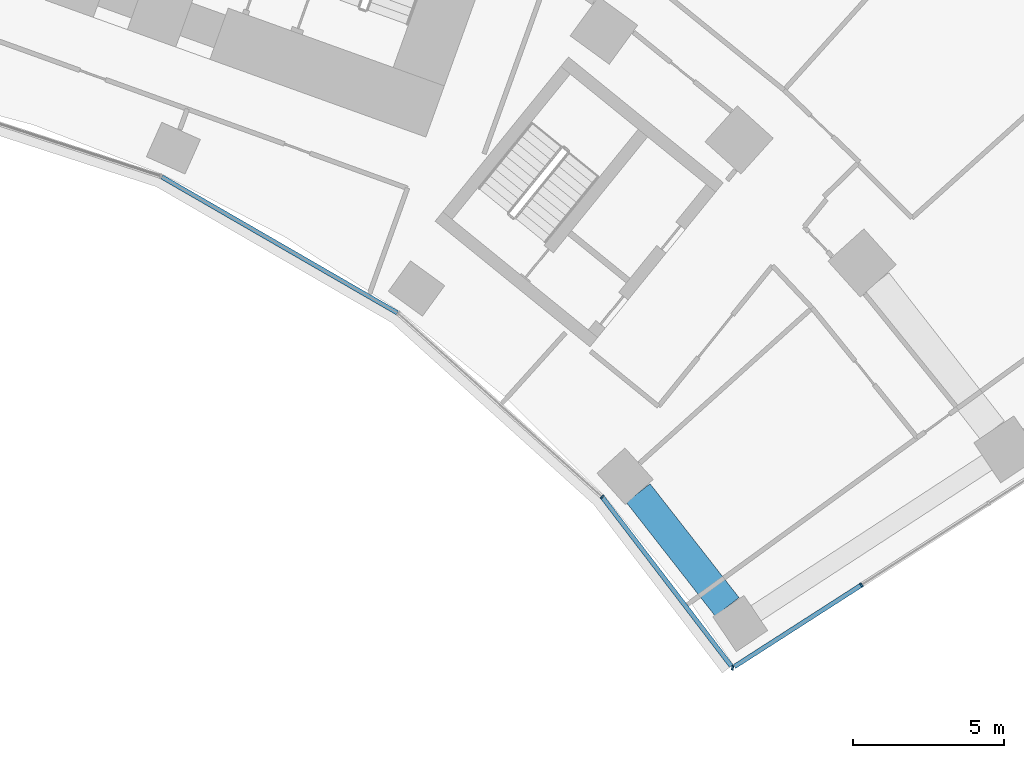
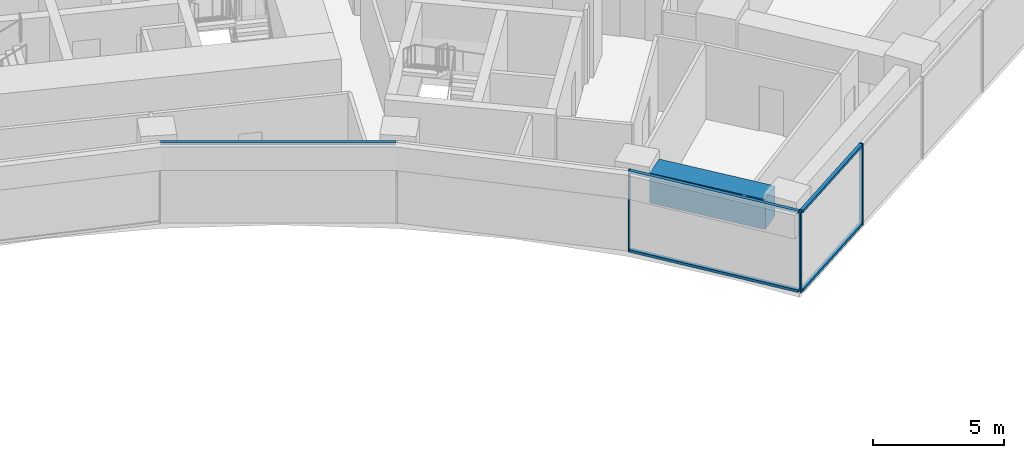
# One storey, part 9 of 25: 8 members, 1 beam, 2 elements without a shape of their own.
"""IFC4 building model written with IfcOpenShell, lengths in metres."""

from ifc_helpers import new_model, si_unit, direction, frame, origin, origin_2d, place, context, subcontext, project, spatial, rectangle, extrude, material, layer, layer_set, material_profile, profile_set, type_object, element, aggregate, save


model = new_model("IFC4")

# Units and contexts
model_context = context("Model", 3, precision=1e-05, world=origin(), true_north=direction((0.0, 1.0)))
body_context = subcontext(model_context, "Body", "Model", "MODEL_VIEW")
ifc_project = project(units=[si_unit("LENGTHUNIT", "METRE"), si_unit("AREAUNIT", "SQUARE_METRE"), si_unit("VOLUMEUNIT", "CUBIC_METRE"), si_unit("PLANEANGLEUNIT", "RADIAN"), si_unit("MASSUNIT", "GRAM", prefix="KILO")], contexts=[model_context])

# Site, building, storey
site_placement = place(None, origin())
site = spatial("IfcSite", under=ifc_project, at=site_placement, CompositionType="ELEMENT")
building_placement = place(site_placement, origin())
building = spatial("IfcBuilding", under=site, at=building_placement, Name="Stone Belt Terrace Tower", CompositionType="ELEMENT")
storey_placement = place(building_placement, frame((0.0, 0.0, 52.800048828125)))
storey = spatial("IfcBuildingStorey", under=building, at=storey_placement, Name="L12", CompositionType="ELEMENT", Elevation=52.800048828125)

# Curtain wall, members
ifc_material_1 = material(Name="Aluminium 6063-T6 anodised frame", Category="aluminium")
ifc_layer_1 = layer(ifc_material_1, 0.14990234375)
ifc_layer_set_1 = layer_set([ifc_layer_1], Name="CW-B unitised concave-face curtain wall")
curtain_wall_type_1 = type_object("IfcCurtainWallType", Name="CW-B unitised concave-face curtain wall", PredefinedType="NOTDEFINED", material=ifc_layer_set_1)
curtain_wall_1_placement = place(storey_placement, origin())
curtain_wall_1 = element("IfcCurtainWall", 1, at=curtain_wall_1_placement, inside=storey, type_object=curtain_wall_type_1, Name="CW-B concave face L12", PredefinedType="NOTDEFINED")
ifc_material_profile_1 = material_profile(ifc_material_1, rectangle(XDim=0.14990234375, YDim=0.050048828125, at=origin_2d()), Name="Aluminium 6063-T6 50x150")
ifc_profile_set_1 = profile_set([ifc_material_profile_1], Name="Aluminium 6063-T6 anodised frame")
member_type_1 = type_object("IfcMemberType", Name="CW-B mullion 50 x 150", PredefinedType="MULLION", material=ifc_profile_set_1)
member_1_placement = place(storey_placement, frame((32.271484375, 29.05615234375, 0.0), z_axis=(0.0, 0.0, 1.0), x_axis=(0.735197945391, 0.677852477382, 0.0)))
member_1 = element("IfcMember", 2, at=member_1_placement, type_object=member_type_1, Name="CW-B mullion 10", PredefinedType="MULLION", context=body_context, shape_type="SweptSolid", body=[
    extrude(rectangle(XDim=0.14990234375, YDim=0.050048828125, at=origin_2d()), origin(), (0.0, 0.0, 1.0), 3.800048828125),
])
ifc_material_profile_2 = material_profile(ifc_material_1, rectangle(XDim=0.14990234375, YDim=0.1201171875, at=origin_2d()), Name="Aluminium 6063-T6 150x120")
ifc_profile_set_2 = profile_set([ifc_material_profile_2], Name="Aluminium 6063-T6 anodised frame")
member_type_2 = type_object("IfcMemberType", Name="CW-B transom 120 x 150", PredefinedType="USERDEFINED", material=ifc_profile_set_2)
member_2_placement = place(storey_placement, frame((17.690673828125, 39.654052734375, 3.739990234375), z_axis=(0.866019133895, -0.500010859609, 0.0), x_axis=(0.500010859609, 0.866019133895, 0.0)))
member_2 = element("IfcMember", 3, at=member_2_placement, type_object=member_type_2, Name="CW-B transom 8.1", ObjectType="TRANSOM", PredefinedType="USERDEFINED", context=body_context, shape_type="SweptSolid", body=[
    extrude(rectangle(XDim=0.14990234375, YDim=0.1201171875, at=origin_2d()), origin(), (0.0, 0.0, 1.0), 9.012939453125),
])
member_3_placement = place(storey_placement, frame((32.290771484375, 29.03076171875, 0.06005859375), z_axis=(0.606726017756, -0.794911026076, 0.0), x_axis=(0.794911026076, 0.606726017756, 0.0)))
member_3 = element("IfcMember", 4, at=member_3_placement, type_object=member_type_2, Name="CW-B transom 10.1", ObjectType="TRANSOM", PredefinedType="USERDEFINED", context=body_context, shape_type="SweptSolid", body=[
    extrude(rectangle(XDim=0.14990234375, YDim=0.1201171875, at=origin_2d()), origin(), (0.0, 0.0, 1.0), 7.0107421875),
])
member_4_placement = place(storey_placement, frame((32.290771484375, 29.03076171875, 3.739990234375), z_axis=(0.606726017756, -0.794911026076, 0.0), x_axis=(0.794911026076, 0.606726017756, 0.0)))
member_4 = element("IfcMember", 5, at=member_4_placement, type_object=member_type_2, Name="CW-B transom 10.2", ObjectType="TRANSOM", PredefinedType="USERDEFINED", context=body_context, shape_type="SweptSolid", body=[
    extrude(rectangle(XDim=0.14990234375, YDim=0.1201171875, at=origin_2d()), origin(), (0.0, 0.0, 1.0), 7.0107421875),
])
aggregate(curtain_wall_1, [member_1, member_2, member_3, member_4])

ifc_layer_2 = layer(ifc_material_1, 0.14990234375)
ifc_layer_set_2 = layer_set([ifc_layer_2], Name="CW-C stick curtain wall, horn ends and notches")
curtain_wall_type_2 = type_object("IfcCurtainWallType", Name="CW-C stick curtain wall, horn ends and notches", PredefinedType="NOTDEFINED", material=ifc_layer_set_2)
curtain_wall_2_placement = place(storey_placement, origin())
curtain_wall_2 = element("IfcCurtainWall", 6, at=curtain_wall_2_placement, inside=storey, type_object=curtain_wall_type_2, Name="CW-C end face L12", PredefinedType="NOTDEFINED")
ifc_material_profile_3 = material_profile(ifc_material_1, rectangle(XDim=0.14990234375, YDim=0.06005859375, at=origin_2d()), Name="Aluminium 6063-T6 60x150")
ifc_profile_set_3 = profile_set([ifc_material_profile_3], Name="Aluminium 6063-T6 anodised frame")
member_type_3 = type_object("IfcMemberType", Name="CW-C mullion 60 x 150", PredefinedType="MULLION", material=ifc_profile_set_3)
member_5_placement = place(storey_placement, frame((36.58642578125, 23.402587890625, 0.0), z_axis=(0.0, 0.0, 1.0), x_axis=(0.173164046531, 0.984892995705, 0.0)))
member_5 = element("IfcMember", 7, at=member_5_placement, type_object=member_type_3, Name="CW-C mullion 1", PredefinedType="MULLION", context=body_context, shape_type="SweptSolid", body=[
    extrude(rectangle(XDim=0.14990234375, YDim=0.06005859375, at=origin_2d()), origin(), (0.0, 0.0, 1.0), 3.800048828125),
])
member_6_placement = place(storey_placement, frame((40.851806640625, 26.1416015625, 0.0), z_axis=(0.0, 0.0, 1.0), x_axis=(-0.540302305869, 0.841470984807, 0.0)))
member_6 = element("IfcMember", 8, at=member_6_placement, type_object=member_type_3, Name="CW-C mullion 2", PredefinedType="MULLION", context=body_context, shape_type="SweptSolid", body=[
    extrude(rectangle(XDim=0.14990234375, YDim=0.06005859375, at=origin_2d()), origin(), (0.0, 0.0, 1.0), 3.800048828125),
])
ifc_material_profile_4 = material_profile(ifc_material_1, rectangle(XDim=0.14990234375, YDim=0.1201171875, at=origin_2d()), Name="Aluminium 6063-T6 150x120")
ifc_profile_set_4 = profile_set([ifc_material_profile_4], Name="Aluminium 6063-T6 anodised frame")
member_type_4 = type_object("IfcMemberType", Name="CW-C transom 120 x 150", PredefinedType="USERDEFINED", material=ifc_profile_set_4)
member_7_placement = place(storey_placement, frame((36.647705078125, 23.442138671875, 0.06005859375), z_axis=(0.841486614614, 0.540277963113, 0.0), x_axis=(-0.540277963113, 0.841486614614, 0.0)))
member_7 = element("IfcMember", 9, at=member_7_placement, type_object=member_type_4, Name="CW-C transom 1.1", ObjectType="TRANSOM", PredefinedType="USERDEFINED", context=body_context, shape_type="SweptSolid", body=[
    extrude(rectangle(XDim=0.14990234375, YDim=0.1201171875, at=origin_2d()), origin(), (0.0, 0.0, 1.0), 4.966064453125),
])
member_8_placement = place(storey_placement, frame((36.647705078125, 23.442138671875, 3.739990234375), z_axis=(0.841486614614, 0.540277963113, 0.0), x_axis=(-0.540277963113, 0.841486614614, 0.0)))
member_8 = element("IfcMember", 10, at=member_8_placement, type_object=member_type_4, Name="CW-C transom 1.2", ObjectType="TRANSOM", PredefinedType="USERDEFINED", context=body_context, shape_type="SweptSolid", body=[
    extrude(rectangle(XDim=0.14990234375, YDim=0.1201171875, at=origin_2d()), origin(), (0.0, 0.0, 1.0), 4.966064453125),
])
aggregate(curtain_wall_2, [member_5, member_6, member_7, member_8])

# Beam
ifc_material_2 = material(Name="Concrete B80", Category="concrete")
ifc_material_profile_5 = material_profile(ifc_material_2, rectangle(XDim=1.0, YDim=1.39990234375, at=origin_2d()), Name="RC 1000x1400")
ifc_profile_set_5 = profile_set([ifc_material_profile_5], Name="Concrete B80")
beam_type = type_object("IfcBeamType", Name="Transfer beam RC 1000x1400 B80", PredefinedType="BEAM", material=ifc_profile_set_5)
beam_placement = place(storey_placement, frame((33.461181640625, 29.1865234375, 2.780029296875), z_axis=(0.615808476245, -0.787895881817, 0.0), x_axis=(0.787895881817, 0.615808476245, 0.0)))
element("IfcBeam", 11, at=beam_placement, inside=storey, type_object=beam_type, Name="Transfer beam L12 PP30-PB", PredefinedType="BEAM", context=body_context, shape_type="SweptSolid", body=[
    extrude(rectangle(XDim=1.0, YDim=1.39990234375, at=origin_2d()), origin(), (0.0, 0.0, 1.0), 4.782470703125),
])

save(model, "model.ifc")
